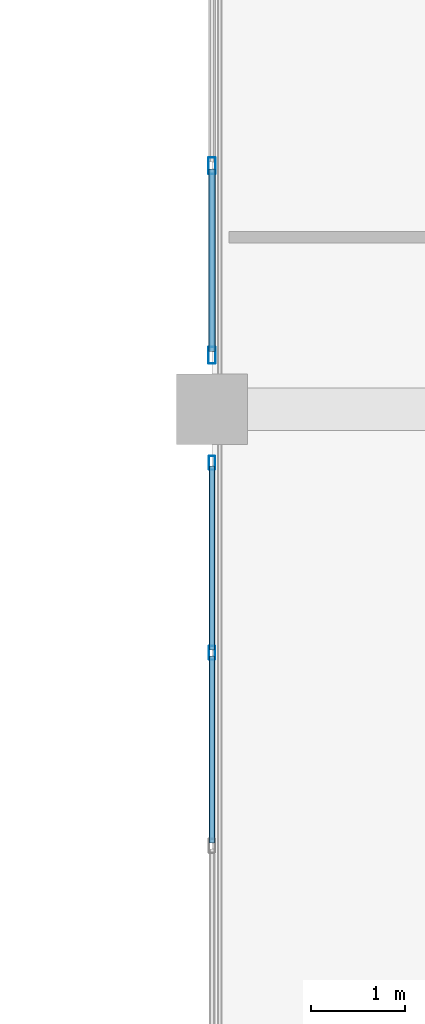
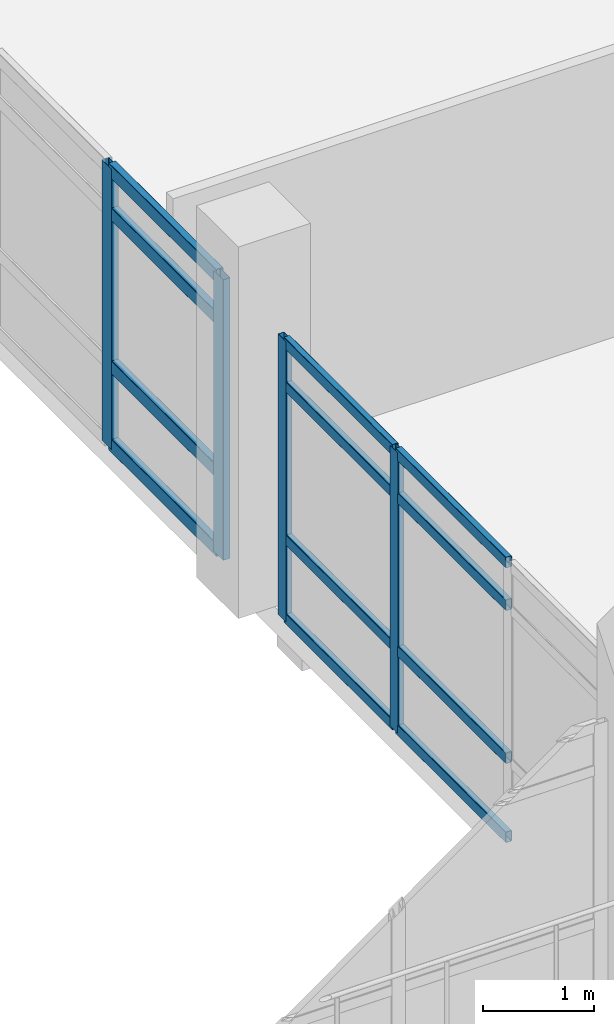
# One storey, part 89 of 180: 16 members, 2 elements without a shape of their own.
"""IFC4 building model written with IfcOpenShell, lengths in metres."""

from ifc_helpers import new_model, si_unit, direction, frame, origin, origin_2d, place, context, subcontext, project, spatial, hollow_rectangle, extrude, material, layer, layer_set, material_profile, profile_set, type_object, element, aggregate, save


model = new_model("IFC4")

# Units and contexts
model_context = context("Model", 3, precision=1e-05, world=origin(), true_north=direction((0.0, 1.0)))
body_context = subcontext(model_context, "Body", "Model", "MODEL_VIEW")
ifc_project = project(units=[si_unit("LENGTHUNIT", "METRE"), si_unit("AREAUNIT", "SQUARE_METRE"), si_unit("VOLUMEUNIT", "CUBIC_METRE"), si_unit("PLANEANGLEUNIT", "RADIAN"), si_unit("MASSUNIT", "GRAM", prefix="KILO")], contexts=[model_context])

# Site, building, storey
site_placement = place(None, origin())
site = spatial("IfcSite", under=ifc_project, at=site_placement, CompositionType="ELEMENT")
building_placement = place(site_placement, origin())
building = spatial("IfcBuilding", under=site, at=building_placement, Name="Asteropetra Specialist Clinic", CompositionType="ELEMENT")
storey_placement = place(building_placement, frame((0.0, 0.0, 4.419921875)))
storey = spatial("IfcBuildingStorey", under=building, at=storey_placement, Name="L01", CompositionType="ELEMENT", Elevation=4.419921875)

# Curtain wall, members
ifc_material_1 = material(Name="Aluminium and low-E glass", Category="aluminium")
ifc_layer_1 = layer(ifc_material_1, 0.14990234375)
ifc_layer_set_1 = layer_set([ifc_layer_1], Name="Aluminium and low-E glass")
curtain_wall_type_1 = type_object("IfcCurtainWallType", Name="CW-SYS-05", PredefinedType="USERDEFINED", material=ifc_layer_set_1)
curtain_wall_1_placement = place(storey_placement, origin())
curtain_wall_1 = element("IfcCurtainWall", 1, at=curtain_wall_1_placement, inside=storey, type_object=curtain_wall_type_1, Name="Curtain Wall CW-022", ObjectType="UNITISED CURTAIN WALL", PredefinedType="USERDEFINED")
ifc_material_2 = material(Name="Aluminium 6063-T6", Category="aluminium")
ifc_material_profile_1 = material_profile(ifc_material_2, hollow_rectangle(XDim=0.06494140625, YDim=0.14990234375, WallThickness=0.00390625, InnerFilletRadius=0.00390625, OuterFilletRadius=0.008056640625, at=origin_2d()), Name="MUL 150x65x4.0")
ifc_profile_set_1 = profile_set([ifc_material_profile_1], Name="Aluminium 6063-T6")
member_type_1 = type_object("IfcMemberType", Name="CWM-150x65", PredefinedType="MULLION", material=ifc_profile_set_1)
member_1_placement = place(storey_placement, frame((28.800048828125, 81.421630859375, 0.0), z_axis=(0.0, 0.0, 1.0), x_axis=(-1.0, 0.0, 0.0)))
member_1 = element("IfcMember", 2, at=member_1_placement, type_object=member_type_1, Name="CW-022 mullion 3", PredefinedType="MULLION", context=body_context, shape_type="SweptSolid", body=[
    extrude(hollow_rectangle(XDim=0.06494140625, YDim=0.14990234375, WallThickness=0.00390625, InnerFilletRadius=0.00390625, OuterFilletRadius=0.008056640625, at=origin_2d()), origin(), (0.0, 0.0, 1.0), 3.080078125),
])
member_2_placement = place(storey_placement, frame((28.800048828125, 83.4326171875, 0.0), z_axis=(0.0, 0.0, 1.0), x_axis=(-1.0, 0.0, 0.0)))
member_2 = element("IfcMember", 3, at=member_2_placement, type_object=member_type_1, Name="CW-022 mullion 4", PredefinedType="MULLION", context=body_context, shape_type="SweptSolid", body=[
    extrude(hollow_rectangle(XDim=0.06494140625, YDim=0.14990234375, WallThickness=0.00390625, InnerFilletRadius=0.00390625, OuterFilletRadius=0.008056640625, at=origin_2d()), origin(), (0.0, 0.0, 1.0), 3.080078125),
])

ifc_material_3 = material(Name="Aluminium and low-E glass", Category="aluminium")
ifc_layer_2 = layer(ifc_material_3, 0.135009765625)
ifc_layer_set_2 = layer_set([ifc_layer_2], Name="Aluminium and low-E glass")
curtain_wall_type_2 = type_object("IfcCurtainWallType", Name="CW-SYS-06", PredefinedType="USERDEFINED", material=ifc_layer_set_2)
curtain_wall_2_placement = place(storey_placement, origin())
curtain_wall_2 = element("IfcCurtainWall", 4, at=curtain_wall_2_placement, inside=storey, type_object=curtain_wall_type_2, Name="Curtain Wall CW-024", ObjectType="UNITISED CURTAIN WALL", PredefinedType="USERDEFINED")
ifc_material_4 = material(Name="Aluminium 6063-T6", Category="aluminium")
ifc_material_profile_2 = material_profile(ifc_material_4, hollow_rectangle(XDim=0.074951171875, YDim=0.179931640625, WallThickness=0.00390625, InnerFilletRadius=0.00390625, OuterFilletRadius=0.008056640625, at=origin_2d()), Name="MUL 180x75x4.0")
ifc_profile_set_2 = profile_set([ifc_material_profile_2], Name="Aluminium 6063-T6")
member_type_2 = type_object("IfcMemberType", Name="CWM-180x75", PredefinedType="MULLION", material=ifc_profile_set_2)
member_3_placement = place(storey_placement, frame((28.800048828125, 84.572509765625, 0.0), z_axis=(0.0, 0.0, 1.0), x_axis=(-1.0, 0.0, 0.0)))
member_3 = element("IfcMember", 5, at=member_3_placement, type_object=member_type_2, Name="CW-024 mullion 1", PredefinedType="MULLION", context=body_context, shape_type="SweptSolid", body=[
    extrude(hollow_rectangle(XDim=0.074951171875, YDim=0.179931640625, WallThickness=0.00390625, InnerFilletRadius=0.00390625, OuterFilletRadius=0.008056640625, at=origin_2d()), origin(), (0.0, 0.0, 1.0), 3.080078125),
])
member_4_placement = place(storey_placement, frame((28.800048828125, 86.578369140625, 0.0), z_axis=(0.0, 0.0, 1.0), x_axis=(-1.0, 0.0, 0.0)))
member_4 = element("IfcMember", 6, at=member_4_placement, type_object=member_type_2, Name="CW-024 mullion 2", PredefinedType="MULLION", context=body_context, shape_type="SweptSolid", body=[
    extrude(hollow_rectangle(XDim=0.074951171875, YDim=0.179931640625, WallThickness=0.00390625, InnerFilletRadius=0.00390625, OuterFilletRadius=0.008056640625, at=origin_2d()), origin(), (0.0, 0.0, 1.0), 3.080078125),
])

# Member
ifc_material_5 = material(Name="Aluminium 6063-T6", Category="aluminium")
ifc_material_profile_3 = material_profile(ifc_material_5, hollow_rectangle(XDim=0.06494140625, YDim=0.1201171875, WallThickness=0.00390625, InnerFilletRadius=0.00390625, OuterFilletRadius=0.008056640625, at=origin_2d()), Name="TRN 120x65x4.0")
ifc_profile_set_3 = profile_set([ifc_material_profile_3], Name="Aluminium 6063-T6")
member_type_3 = type_object("IfcMemberType", Name="CWT-120x65", PredefinedType="USERDEFINED", material=ifc_profile_set_3)
member_5_placement = place(storey_placement, frame((28.800048828125, 79.410888671875, 0.032470703125), z_axis=(0.0, 1.0, 0.0), x_axis=(-1.0, 0.0, 0.0)))
member_5 = element("IfcMember", 7, at=member_5_placement, type_object=member_type_3, Name="CW-022 transom 2.1", ObjectType="TRANSOM", PredefinedType="USERDEFINED", context=body_context, shape_type="SweptSolid", body=[
    extrude(hollow_rectangle(XDim=0.06494140625, YDim=0.1201171875, WallThickness=0.00390625, InnerFilletRadius=0.00390625, OuterFilletRadius=0.008056640625, at=origin_2d()), origin(), (0.0, 0.0, 1.0), 1.978271484375),
])

member_6_placement = place(storey_placement, frame((28.800048828125, 79.410888671875, 0.900146484375), z_axis=(0.0, 1.0, 0.0), x_axis=(-1.0, 0.0, 0.0)))
member_6 = element("IfcMember", 8, at=member_6_placement, type_object=member_type_3, Name="CW-022 transom 2.2", ObjectType="TRANSOM", PredefinedType="USERDEFINED", context=body_context, shape_type="SweptSolid", body=[
    extrude(hollow_rectangle(XDim=0.06494140625, YDim=0.1201171875, WallThickness=0.00390625, InnerFilletRadius=0.00390625, OuterFilletRadius=0.008056640625, at=origin_2d()), origin(), (0.0, 0.0, 1.0), 1.978271484375),
])

member_7_placement = place(storey_placement, frame((28.800048828125, 79.410888671875, 2.580078125), z_axis=(0.0, 1.0, 0.0), x_axis=(-1.0, 0.0, 0.0)))
member_7 = element("IfcMember", 9, at=member_7_placement, type_object=member_type_3, Name="CW-022 transom 2.3", ObjectType="TRANSOM", PredefinedType="USERDEFINED", context=body_context, shape_type="SweptSolid", body=[
    extrude(hollow_rectangle(XDim=0.06494140625, YDim=0.1201171875, WallThickness=0.00390625, InnerFilletRadius=0.00390625, OuterFilletRadius=0.008056640625, at=origin_2d()), origin(), (0.0, 0.0, 1.0), 1.978271484375),
])

member_8_placement = place(storey_placement, frame((28.800048828125, 79.410888671875, 3.047607421875), z_axis=(0.0, 1.0, 0.0), x_axis=(-1.0, 0.0, 0.0)))
member_8 = element("IfcMember", 10, at=member_8_placement, type_object=member_type_3, Name="CW-022 transom 2.4", ObjectType="TRANSOM", PredefinedType="USERDEFINED", context=body_context, shape_type="SweptSolid", body=[
    extrude(hollow_rectangle(XDim=0.06494140625, YDim=0.1201171875, WallThickness=0.00390625, InnerFilletRadius=0.00390625, OuterFilletRadius=0.008056640625, at=origin_2d()), origin(), (0.0, 0.0, 1.0), 1.978271484375),
])

member_9_placement = place(storey_placement, frame((28.800048828125, 81.4541015625, 0.032470703125), z_axis=(0.0, 1.0, 0.0), x_axis=(-1.0, 0.0, 0.0)))
member_9 = element("IfcMember", 11, at=member_9_placement, type_object=member_type_3, Name="CW-022 transom 3.1", ObjectType="TRANSOM", PredefinedType="USERDEFINED", context=body_context, shape_type="SweptSolid", body=[
    extrude(hollow_rectangle(XDim=0.06494140625, YDim=0.1201171875, WallThickness=0.00390625, InnerFilletRadius=0.00390625, OuterFilletRadius=0.008056640625, at=origin_2d()), origin(), (0.0, 0.0, 1.0), 1.94580078125),
])

member_10_placement = place(storey_placement, frame((28.800048828125, 81.4541015625, 0.900146484375), z_axis=(0.0, 1.0, 0.0), x_axis=(-1.0, 0.0, 0.0)))
member_10 = element("IfcMember", 12, at=member_10_placement, type_object=member_type_3, Name="CW-022 transom 3.2", ObjectType="TRANSOM", PredefinedType="USERDEFINED", context=body_context, shape_type="SweptSolid", body=[
    extrude(hollow_rectangle(XDim=0.06494140625, YDim=0.1201171875, WallThickness=0.00390625, InnerFilletRadius=0.00390625, OuterFilletRadius=0.008056640625, at=origin_2d()), origin(), (0.0, 0.0, 1.0), 1.94580078125),
])

member_11_placement = place(storey_placement, frame((28.800048828125, 81.4541015625, 2.580078125), z_axis=(0.0, 1.0, 0.0), x_axis=(-1.0, 0.0, 0.0)))
member_11 = element("IfcMember", 13, at=member_11_placement, type_object=member_type_3, Name="CW-022 transom 3.3", ObjectType="TRANSOM", PredefinedType="USERDEFINED", context=body_context, shape_type="SweptSolid", body=[
    extrude(hollow_rectangle(XDim=0.06494140625, YDim=0.1201171875, WallThickness=0.00390625, InnerFilletRadius=0.00390625, OuterFilletRadius=0.008056640625, at=origin_2d()), origin(), (0.0, 0.0, 1.0), 1.94580078125),
])

member_12_placement = place(storey_placement, frame((28.800048828125, 81.4541015625, 3.047607421875), z_axis=(0.0, 1.0, 0.0), x_axis=(-1.0, 0.0, 0.0)))
member_12 = element("IfcMember", 14, at=member_12_placement, type_object=member_type_3, Name="CW-022 transom 3.4", ObjectType="TRANSOM", PredefinedType="USERDEFINED", context=body_context, shape_type="SweptSolid", body=[
    extrude(hollow_rectangle(XDim=0.06494140625, YDim=0.1201171875, WallThickness=0.00390625, InnerFilletRadius=0.00390625, OuterFilletRadius=0.008056640625, at=origin_2d()), origin(), (0.0, 0.0, 1.0), 1.94580078125),
])

aggregate(curtain_wall_1, [member_1, member_2, member_5, member_6, member_7, member_8, member_9, member_10, member_11, member_12])

ifc_material_6 = material(Name="Aluminium 6063-T6", Category="aluminium")
ifc_material_profile_4 = material_profile(ifc_material_6, hollow_rectangle(XDim=0.074951171875, YDim=0.14990234375, WallThickness=0.00390625, InnerFilletRadius=0.00390625, OuterFilletRadius=0.008056640625, at=origin_2d()), Name="TRN 150x75x4.0")
ifc_profile_set_4 = profile_set([ifc_material_profile_4], Name="Aluminium 6063-T6")
member_type_4 = type_object("IfcMemberType", Name="CWT-150x75", PredefinedType="USERDEFINED", material=ifc_profile_set_4)
member_13_placement = place(storey_placement, frame((28.800048828125, 84.610107421875, 0.03759765625), z_axis=(0.0, 1.0, 0.0), x_axis=(-1.0, 0.0, 0.0)))
member_13 = element("IfcMember", 15, at=member_13_placement, type_object=member_type_4, Name="CW-024 transom 1.1", ObjectType="TRANSOM", PredefinedType="USERDEFINED", context=body_context, shape_type="SweptSolid", body=[
    extrude(hollow_rectangle(XDim=0.074951171875, YDim=0.14990234375, WallThickness=0.00390625, InnerFilletRadius=0.00390625, OuterFilletRadius=0.008056640625, at=origin_2d()), origin(), (0.0, 0.0, 1.0), 1.9306640625),
])

member_14_placement = place(storey_placement, frame((28.800048828125, 84.610107421875, 0.900146484375), z_axis=(0.0, 1.0, 0.0), x_axis=(-1.0, 0.0, 0.0)))
member_14 = element("IfcMember", 16, at=member_14_placement, type_object=member_type_4, Name="CW-024 transom 1.2", ObjectType="TRANSOM", PredefinedType="USERDEFINED", context=body_context, shape_type="SweptSolid", body=[
    extrude(hollow_rectangle(XDim=0.074951171875, YDim=0.14990234375, WallThickness=0.00390625, InnerFilletRadius=0.00390625, OuterFilletRadius=0.008056640625, at=origin_2d()), origin(), (0.0, 0.0, 1.0), 1.9306640625),
])

member_15_placement = place(storey_placement, frame((28.800048828125, 84.610107421875, 2.580078125), z_axis=(0.0, 1.0, 0.0), x_axis=(-1.0, 0.0, 0.0)))
member_15 = element("IfcMember", 17, at=member_15_placement, type_object=member_type_4, Name="CW-024 transom 1.3", ObjectType="TRANSOM", PredefinedType="USERDEFINED", context=body_context, shape_type="SweptSolid", body=[
    extrude(hollow_rectangle(XDim=0.074951171875, YDim=0.14990234375, WallThickness=0.00390625, InnerFilletRadius=0.00390625, OuterFilletRadius=0.008056640625, at=origin_2d()), origin(), (0.0, 0.0, 1.0), 1.9306640625),
])

member_16_placement = place(storey_placement, frame((28.800048828125, 84.610107421875, 3.04248046875), z_axis=(0.0, 1.0, 0.0), x_axis=(-1.0, 0.0, 0.0)))
member_16 = element("IfcMember", 18, at=member_16_placement, type_object=member_type_4, Name="CW-024 transom 1.4", ObjectType="TRANSOM", PredefinedType="USERDEFINED", context=body_context, shape_type="SweptSolid", body=[
    extrude(hollow_rectangle(XDim=0.074951171875, YDim=0.14990234375, WallThickness=0.00390625, InnerFilletRadius=0.00390625, OuterFilletRadius=0.008056640625, at=origin_2d()), origin(), (0.0, 0.0, 1.0), 1.9306640625),
])

aggregate(curtain_wall_2, [member_3, member_4, member_13, member_14, member_15, member_16])

save(model, "model.ifc")
